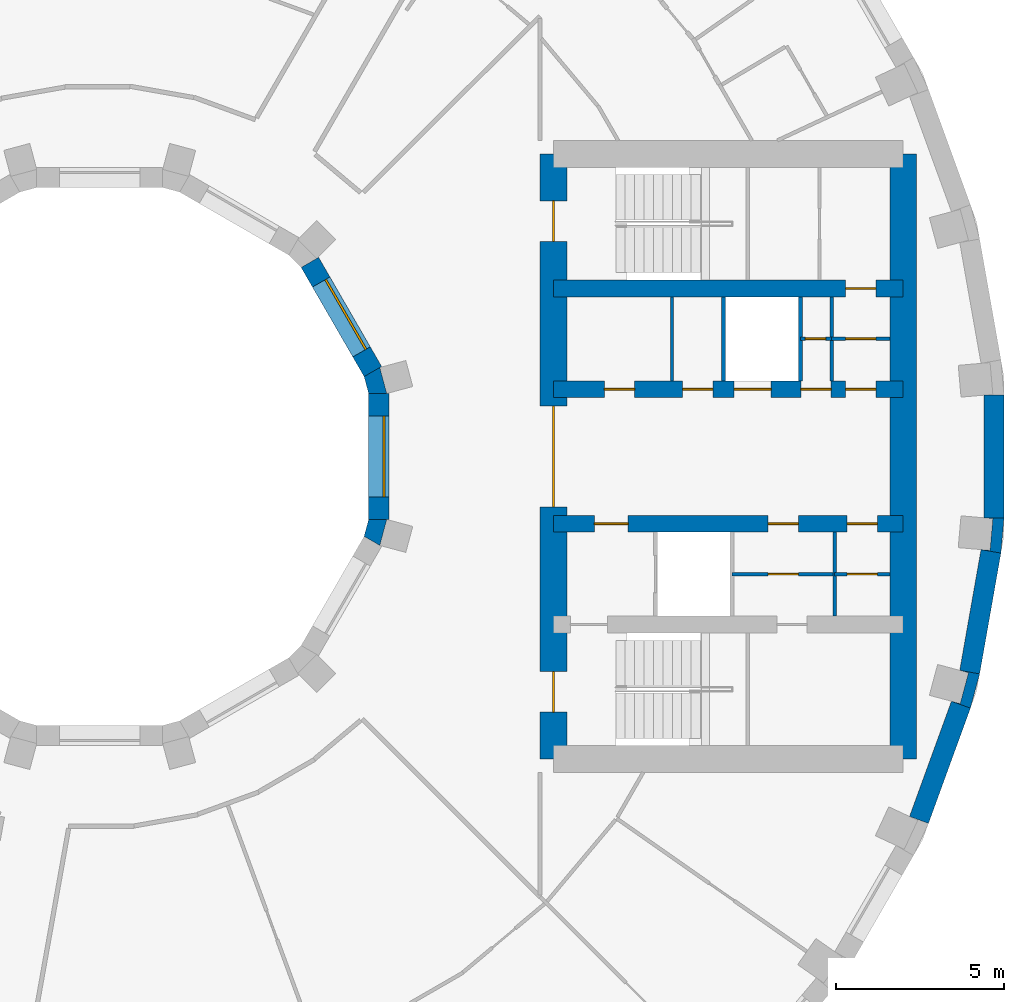
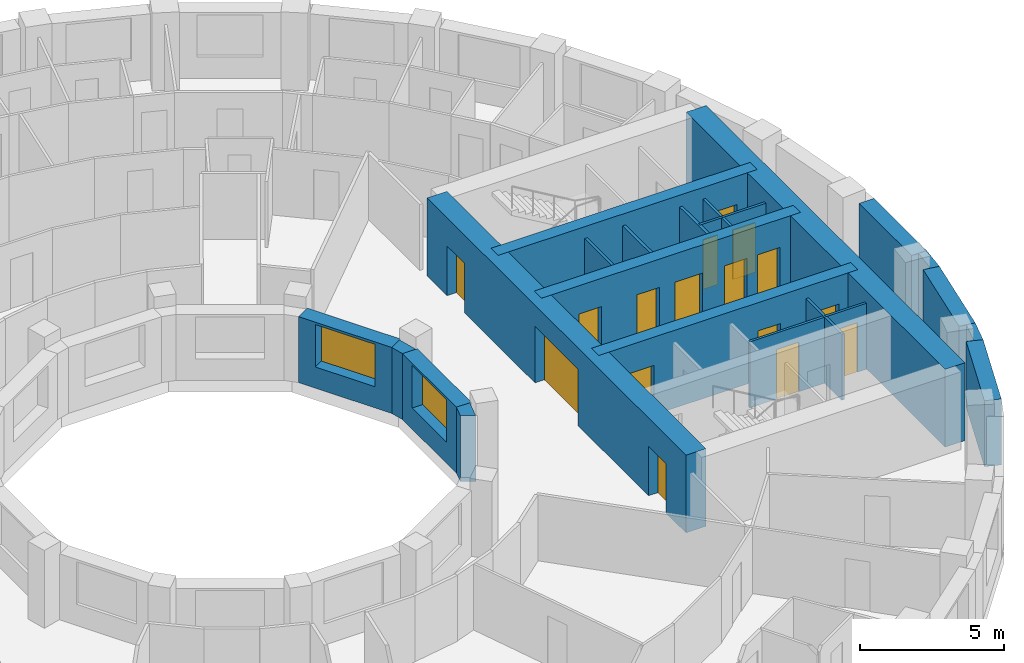
# One storey, part 9 of 14: 23 walls, 16 doors, 2 windows, 18 openings.
"""IFC4 building model written with IfcOpenShell, lengths in metres."""

from ifc_helpers import new_model, si_unit, direction, frame, frame_2d, origin, place, context, subcontext, project, spatial, polyline, rectangle, outline, extrude, material, layer, layer_set, type_object, element, fill, save


model = new_model("IFC4")

# Units and contexts
model_context = context("Model", 3, precision=1e-05, world=origin(), true_north=direction((0.0, 1.0)))
body_context = subcontext(model_context, "Body", "Model", "MODEL_VIEW")
ifc_project = project(units=[si_unit("LENGTHUNIT", "METRE"), si_unit("AREAUNIT", "SQUARE_METRE"), si_unit("VOLUMEUNIT", "CUBIC_METRE"), si_unit("PLANEANGLEUNIT", "RADIAN"), si_unit("MASSUNIT", "GRAM", prefix="KILO")], contexts=[model_context])

# Site, building, storey
site_placement = place(None, origin())
site = spatial("IfcSite", under=ifc_project, at=site_placement, CompositionType="ELEMENT")
building_placement = place(site_placement, origin())
building = spatial("IfcBuilding", under=site, at=building_placement, Name="Saqina Gate Tower", CompositionType="ELEMENT")
storey_placement = place(building_placement, frame((0.0, 0.0, 95.199951171875)))
storey = spatial("IfcBuildingStorey", under=building, at=storey_placement, Name="L26", CompositionType="ELEMENT", Elevation=95.199951171875)

# Walls
ifc_material_1 = material(Name="Brick masonry (buff)", Category="masonry")
wall_type_1 = type_object("IfcWallType", Name="BRICK PIER COPING BUFF", PredefinedType="SOLIDWALL", material=ifc_material_1)
wall_1_placement = place(storey_placement, origin())
element("IfcWall", 1, at=wall_1_placement, inside=storey, type_object=wall_type_1, Name="Pier cap L26 column 35", PredefinedType="SOLIDWALL", context=body_context, shape_type="SweptSolid", body=[
    extrude(outline(polyline([(25.89892578125, -7.485595703125), (26.171875, -6.466796875), (25.5810546875, -6.36279296875), (25.8408203125, -6.43212890625), (25.5947265625, -7.349853515625), (25.335205078125, -7.2802734375), (25.89892578125, -7.485595703125)])), origin(), (0.0, 0.0, 1.0), 2.800048828125),
])
wall_2_placement = place(storey_placement, origin())
element("IfcWall", 2, at=wall_2_placement, inside=storey, type_object=wall_type_1, Name="Pier cap L26 column 36", PredefinedType="SOLIDWALL", context=body_context, shape_type="SweptSolid", body=[
    extrude(outline(polyline([(26.805419921875, -2.87451171875), (26.897216796875, -1.823974609375), (26.29736328125, -1.823974609375), (26.565185546875, -1.847412109375), (26.482421875, -2.793701171875), (26.214599609375, -2.770263671875), (26.805419921875, -2.87451171875)])), origin(), (0.0, 0.0, 1.0), 2.800048828125),
])
ifc_material_2 = material(Name="Gypsum board on steel studs", Category="steel")
ifc_layer_1 = layer(ifc_material_2, 0.10009765625)
ifc_layer_set_1 = layer_set([ifc_layer_1], Name="CORE PARTITION")
wall_type_2 = type_object("IfcWallType", Name="CORE PARTITION", PredefinedType="PARTITIONING", material=ifc_layer_set_1)
for number, where, z_axis, x_axis, name in (
    (3, (17.022216796875, 2.25, 0.0), (0.0, 0.0, 1.0), (0.0, 1.0, 0.0), "L26-CP-E01"),
    (4, (21.77099609375, 2.25, 0.0), (0.0, 0.0, 1.0), (0.0, 1.0, 0.0), "L26-CP-E04"),
    (5, (21.8583984375, -4.75, 0.0), (0.0, 0.0, 1.0), (0.0, 1.0, 0.0), "L26-CP-E07"),
):
    element("IfcWall", number, at=place(storey_placement, frame(where, z_axis=z_axis, x_axis=x_axis)), inside=storey, type_object=wall_type_2, Name=name, PredefinedType="PARTITIONING", context=body_context, shape_type="SweptSolid", body=[
        extrude(rectangle(XDim=2.5, YDim=0.10009765625, at=frame_2d((1.25, 0.0))), origin(), (0.0, 0.0, 1.0), 2.800048828125),
    ])

# Wall, opening, door
wall_3_placement = place(storey_placement, frame((20.840087890625, 3.5, 0.0), z_axis=(0.0, 0.0, 1.0), x_axis=(1.0, 0.0, 0.0)))
wall_3 = element("IfcWall", 6, at=wall_3_placement, inside=storey, type_object=wall_type_2, Name="L26-CP-E08", PredefinedType="PARTITIONING", context=body_context, shape_type="SweptSolid", body=[
    extrude(rectangle(XDim=0.930908203125, YDim=0.10009765625, at=frame_2d((0.46533203125, 0.0))), origin(), (0.0, 0.0, 1.0), 2.800048828125),
])
opening_1_placement = place(wall_3_placement, frame((0.14990234375, 0.0, 0.0)))
opening_1 = element("IfcOpeningElement", 7, at=opening_1_placement, cuts=wall_3, Name="Opening G07-D130", PredefinedType="OPENING", context=body_context, shape_type="SweptSolid", body=[
    extrude(rectangle(XDim=0.60009765625, YDim=2.10009765625, at=frame_2d((0.300048828125, 1.050048828125))), frame((0.0, 0.06201171875, 0.0), z_axis=(0.0, -1.0, 0.0), x_axis=(1.0, 0.0, 0.0)), (0.0, 0.0, 1.0), 0.1240234375),
])
ifc_material_3 = material(Name="Steel-framed fire door leaf, EI 60", Category="steel")
door_type_1 = type_object("IfcDoorType", Name="SERVICE ROOM DOOR 600", OperationType="SINGLE_SWING_LEFT", PredefinedType="DOOR", material=ifc_material_3)
door_1_placement = place(opening_1_placement, origin())
door_1 = element("IfcDoor", 8, at=door_1_placement, inside=storey, type_object=door_type_1, Name="L26-CD-E08", OperationType="SINGLE_SWING_LEFT", OverallHeight=2.10009765625, OverallWidth=0.60009765625, PredefinedType="DOOR", context=body_context, shape_type="SweptSolid", body=[
    extrude(rectangle(XDim=0.60009765625, YDim=2.10009765625, at=frame_2d((0.300048828125, 1.050048828125))), frame((0.0, 0.02490234375, 0.0), z_axis=(0.0, -1.0, 0.0), x_axis=(1.0, 0.0, 0.0)), (0.0, 0.0, 1.0), 0.050048828125),
])
fill(opening_1, door_1)

wall_4_placement = place(storey_placement, frame((21.77099609375, 3.5, 0.0), z_axis=(0.0, 0.0, 1.0), x_axis=(1.0, 0.0, 0.0)))
wall_4 = element("IfcWall", 9, at=wall_4_placement, inside=storey, type_object=wall_type_2, Name="L26-CP-E09", PredefinedType="PARTITIONING", context=body_context, shape_type="SweptSolid", body=[
    extrude(rectangle(XDim=1.72900390625, YDim=0.10009765625, at=frame_2d((0.864501953125, 0.0))), origin(), (0.0, 0.0, 1.0), 2.800048828125),
])
opening_2_placement = place(wall_4_placement, frame((0.41455078125, 0.0, 0.0)))
opening_2 = element("IfcOpeningElement", 10, at=opening_2_placement, cuts=wall_4, Name="Opening G07-D131", PredefinedType="OPENING", context=body_context, shape_type="SweptSolid", body=[
    extrude(rectangle(XDim=0.89990234375, YDim=2.10009765625, at=frame_2d((0.449951171875, 1.050048828125))), frame((0.0, 0.06201171875, 0.0), z_axis=(0.0, -1.0, 0.0), x_axis=(1.0, 0.0, 0.0)), (0.0, 0.0, 1.0), 0.1240234375),
])
ifc_material_4 = material(Name="Steel-framed fire door leaf, EI 60", Category="steel")
door_type_2 = type_object("IfcDoorType", Name="SERVICE ROOM DOOR 900", OperationType="SINGLE_SWING_LEFT", PredefinedType="DOOR", material=ifc_material_4)
door_2_placement = place(opening_2_placement, origin())
door_2 = element("IfcDoor", 11, at=door_2_placement, inside=storey, type_object=door_type_2, Name="L26-CD-E09", OperationType="SINGLE_SWING_RIGHT", OverallHeight=2.10009765625, OverallWidth=0.89990234375, PredefinedType="DOOR", context=body_context, shape_type="SweptSolid", body=[
    extrude(rectangle(XDim=0.89990234375, YDim=2.10009765625, at=frame_2d((0.449951171875, 1.050048828125))), frame((0.0, 0.02490234375, 0.0), z_axis=(0.0, -1.0, 0.0), x_axis=(1.0, 0.0, 0.0)), (0.0, 0.0, 1.0), 0.050048828125),
])
fill(opening_2, door_2)

wall_5_placement = place(storey_placement, frame((18.81005859375, -3.5, 0.0), z_axis=(0.0, 0.0, 1.0), x_axis=(1.0, 0.0, 0.0)))
wall_5 = element("IfcWall", 12, at=wall_5_placement, inside=storey, type_object=wall_type_2, Name="L26-CP-E10", PredefinedType="PARTITIONING", context=body_context, shape_type="SweptSolid", body=[
    extrude(rectangle(XDim=3.04833984375, YDim=0.10009765625, at=frame_2d((1.524169921875, 0.0))), origin(), (0.0, 0.0, 1.0), 2.800048828125),
])
opening_3_placement = place(wall_5_placement, frame((1.07421875, 0.0, 0.0)))
opening_3 = element("IfcOpeningElement", 13, at=opening_3_placement, cuts=wall_5, Name="Opening G07-D135", PredefinedType="OPENING", context=body_context, shape_type="SweptSolid", body=[
    extrude(rectangle(XDim=0.89990234375, YDim=2.10009765625, at=frame_2d((0.449951171875, 1.050048828125))), frame((0.0, 0.06201171875, 0.0), z_axis=(0.0, -1.0, 0.0), x_axis=(1.0, 0.0, 0.0)), (0.0, 0.0, 1.0), 0.1240234375),
])
door_3_placement = place(opening_3_placement, frame((0.89990234375, 0.0, 0.0), z_axis=(0.0, 0.0, 1.0), x_axis=(-1.0, 0.0, 0.0)))
door_3 = element("IfcDoor", 14, at=door_3_placement, inside=storey, type_object=door_type_2, Name="L26-CD-E13", OperationType="SINGLE_SWING_RIGHT", OverallHeight=2.10009765625, OverallWidth=0.89990234375, PredefinedType="DOOR", context=body_context, shape_type="SweptSolid", body=[
    extrude(rectangle(XDim=0.89990234375, YDim=2.10009765625, at=frame_2d((0.449951171875, 1.050048828125))), frame((0.0, 0.02490234375, 0.0), z_axis=(0.0, -1.0, 0.0), x_axis=(1.0, 0.0, 0.0)), (0.0, 0.0, 1.0), 0.050048828125),
])
fill(opening_3, door_3)

wall_6_placement = place(storey_placement, frame((21.8583984375, -3.5, 0.0), z_axis=(0.0, 0.0, 1.0), x_axis=(1.0, 0.0, 0.0)))
wall_6 = element("IfcWall", 15, at=wall_6_placement, inside=storey, type_object=wall_type_2, Name="L26-CP-E11", PredefinedType="PARTITIONING", context=body_context, shape_type="SweptSolid", body=[
    extrude(rectangle(XDim=1.6416015625, YDim=0.10009765625, at=frame_2d((0.82080078125, 0.0))), origin(), (0.0, 0.0, 1.0), 2.800048828125),
])
opening_4_placement = place(wall_6_placement, frame((0.370849609375, 0.0, 0.0)))
opening_4 = element("IfcOpeningElement", 16, at=opening_4_placement, cuts=wall_6, Name="Opening G07-D134", PredefinedType="OPENING", context=body_context, shape_type="SweptSolid", body=[
    extrude(rectangle(XDim=0.89990234375, YDim=2.10009765625, at=frame_2d((0.449951171875, 1.050048828125))), frame((0.0, 0.06201171875, 0.0), z_axis=(0.0, -1.0, 0.0), x_axis=(1.0, 0.0, 0.0)), (0.0, 0.0, 1.0), 0.1240234375),
])
door_4_placement = place(opening_4_placement, frame((0.89990234375, 0.0, 0.0), z_axis=(0.0, 0.0, 1.0), x_axis=(-1.0, 0.0, 0.0)))
door_4 = element("IfcDoor", 17, at=door_4_placement, inside=storey, type_object=door_type_2, Name="L26-CD-E12", OperationType="SINGLE_SWING_LEFT", OverallHeight=2.10009765625, OverallWidth=0.89990234375, PredefinedType="DOOR", context=body_context, shape_type="SweptSolid", body=[
    extrude(rectangle(XDim=0.89990234375, YDim=2.10009765625, at=frame_2d((0.449951171875, 1.050048828125))), frame((0.0, 0.02490234375, 0.0), z_axis=(0.0, -1.0, 0.0), x_axis=(1.0, 0.0, 0.0)), (0.0, 0.0, 1.0), 0.050048828125),
])
fill(opening_4, door_4)

# Walls
ifc_material_5 = material(Name="Glazed ceramic tile", Category="ceramic")
ifc_layer_2 = layer(ifc_material_5, 0.60009765625)
ifc_layer_set_2 = layer_set([ifc_layer_2], Name="FW-TILE")
wall_type_3 = type_object("IfcWallType", Name="FW-TILE", PredefinedType="SOLIDWALL", material=ifc_layer_set_2)
wall_7_placement = place(storey_placement, frame((25.87646484375, -6.414794921875, 0.0), z_axis=(0.0, 0.0, 1.0), x_axis=(0.173670796382, 0.984803764455, 0.0)))
element("IfcWall", 18, at=wall_7_placement, inside=storey, type_object=wall_type_3, Name="Facade wall L26 facet 35", PredefinedType="SOLIDWALL", context=body_context, shape_type="SweptSolid", body=[
    extrude(rectangle(XDim=3.64794921875, YDim=0.60009765625, at=frame_2d((1.823974609375, 0.0))), origin(), (0.0, 0.0, 1.0), 2.800048828125),
])
ifc_material_6 = material(Name="Glazed ceramic tile (dark blue)", Category="ceramic")
ifc_layer_3 = layer(ifc_material_6, 0.60009765625)
ifc_layer_set_3 = layer_set([ifc_layer_3], Name="FW-TILE-CB")
wall_type_4 = type_object("IfcWallType", Name="FW-TILE-CB", PredefinedType="SOLIDWALL", material=ifc_layer_set_3)
wall_8_placement = place(storey_placement, frame((26.59716796875, -1.823974609375, 0.0), z_axis=(0.0, 0.0, 1.0), x_axis=(0.0, 1.0, 0.0)))
element("IfcWall", 19, at=wall_8_placement, inside=storey, type_object=wall_type_4, Name="Facade wall L26 facet 36", PredefinedType="SOLIDWALL", context=body_context, shape_type="SweptSolid", body=[
    extrude(rectangle(XDim=3.64794921875, YDim=0.60009765625, at=frame_2d((1.823974609375, 0.0))), origin(), (0.0, 0.0, 1.0), 2.800048828125),
])
ifc_material_7 = material(Name="Glazed ceramic tile (white)", Category="ceramic")
ifc_layer_4 = layer(ifc_material_7, 0.60009765625)
ifc_layer_set_4 = layer_set([ifc_layer_4], Name="FW-TILE-WH")
wall_type_5 = type_object("IfcWallType", Name="FW-TILE-WH", PredefinedType="SOLIDWALL", material=ifc_layer_set_4)
wall_9_placement = place(storey_placement, frame((24.369384765625, -10.810791015625, 0.0), z_axis=(0.0, 0.0, 1.0), x_axis=(0.341990236633, 0.939703505393, 0.0)))
element("IfcWall", 20, at=wall_9_placement, inside=storey, type_object=wall_type_5, Name="Facade wall L26 facet 34", PredefinedType="SOLIDWALL", context=body_context, shape_type="SweptSolid", body=[
    extrude(rectangle(XDim=3.64794921875, YDim=0.60009765625, at=frame_2d((1.823974609375, 0.0))), origin(), (0.0, 0.0, 1.0), 2.800048828125),
])

# Wall, opening, window
ifc_material_8 = material(Name="Glazed ceramic tile", Category="ceramic")
ifc_layer_5 = layer(ifc_material_8, 0.60009765625)
ifc_layer_set_5 = layer_set([ifc_layer_5], Name="IW-TILE")
wall_type_6 = type_object("IfcWallType", Name="IW-TILE", PredefinedType="SOLIDWALL", material=ifc_layer_set_5)
wall_10_placement = place(storey_placement, frame((8.124755859375, 2.52734375, 0.0), z_axis=(0.0, 0.0, 1.0), x_axis=(-0.499964958637, 0.86604563398, 0.0)))
wall_10 = element("IfcWall", 21, at=wall_10_placement, inside=storey, type_object=wall_type_6, Name="Well wall L26 facet 1", PredefinedType="SOLIDWALL", context=body_context, shape_type="SweptSolid", body=[
    extrude(rectangle(XDim=3.747314453125, YDim=0.60009765625, at=frame_2d((1.87353515625, 0.0))), origin(), (0.0, 0.0, 1.0), 2.800048828125),
])
opening_5_placement = place(wall_10_placement, frame((0.673583984375, 0.0, 0.89990234375)))
opening_5 = element("IfcOpeningElement", 22, at=opening_5_placement, cuts=wall_10, Name="Opening G07-W23", PredefinedType="OPENING", context=body_context, shape_type="SweptSolid", body=[
    extrude(rectangle(XDim=2.39990234375, YDim=1.800048828125, at=frame_2d((1.199951171875, 0.89990234375))), frame((0.0, 0.31201171875, 0.0), z_axis=(0.0, -1.0, 0.0), x_axis=(1.0, 0.0, 0.0)), (0.0, 0.0, 1.0), 0.6240234375),
])
ifc_material_9 = material(Name="Aluminium glazing", Category="aluminium")
window_type = type_object("IfcWindowType", Name="WN-W", PartitioningType="SINGLE_PANEL", PredefinedType="WINDOW", material=ifc_material_9)
window_1_placement = place(opening_5_placement, origin())
window_1 = element("IfcWindow", 23, at=window_1_placement, inside=storey, type_object=window_type, Name="Well window L26 facet 1", OverallHeight=1.800048828125, OverallWidth=2.39990234375, PartitioningType="SINGLE_PANEL", PredefinedType="WINDOW", context=body_context, shape_type="SweptSolid", body=[
    extrude(rectangle(XDim=2.39990234375, YDim=1.800048828125, at=frame_2d((1.199951171875, 0.89990234375))), frame((0.0, -0.119873046875, 0.0), z_axis=(0.0, -1.0, 0.0), x_axis=(1.0, 0.0, 0.0)), (0.0, 0.0, 1.0), 0.06005859375),
])
fill(opening_5, window_1)

wall_11_placement = place(storey_placement, frame((8.300048828125, -1.873779296875, 0.0), z_axis=(0.0, 0.0, 1.0), x_axis=(0.0, 1.0, 0.0)))
wall_11 = element("IfcWall", 24, at=wall_11_placement, inside=storey, type_object=wall_type_6, Name="Well wall L26 facet 12", PredefinedType="SOLIDWALL", context=body_context, shape_type="SweptSolid", body=[
    extrude(rectangle(XDim=3.74755859375, YDim=0.60009765625, at=frame_2d((1.873779296875, 0.0))), origin(), (0.0, 0.0, 1.0), 2.800048828125),
])
opening_6_placement = place(wall_11_placement, frame((0.673583984375, 0.0, 0.89990234375)))
opening_6 = element("IfcOpeningElement", 25, at=opening_6_placement, cuts=wall_11, Name="Opening G07-W34", PredefinedType="OPENING", context=body_context, shape_type="SweptSolid", body=[
    extrude(rectangle(XDim=2.39990234375, YDim=1.800048828125, at=frame_2d((1.199951171875, 0.89990234375))), frame((0.0, 0.31201171875, 0.0), z_axis=(0.0, -1.0, 0.0), x_axis=(1.0, 0.0, 0.0)), (0.0, 0.0, 1.0), 0.6240234375),
])
window_2_placement = place(opening_6_placement, origin())
window_2 = element("IfcWindow", 26, at=window_2_placement, inside=storey, type_object=window_type, Name="Well window L26 facet 12", OverallHeight=1.800048828125, OverallWidth=2.39990234375, PartitioningType="SINGLE_PANEL", PredefinedType="WINDOW", context=body_context, shape_type="SweptSolid", body=[
    extrude(rectangle(XDim=2.39990234375, YDim=1.800048828125, at=frame_2d((1.199951171875, 0.89990234375))), frame((0.0, -0.119873046875, 0.0), z_axis=(0.0, -1.0, 0.0), x_axis=(1.0, 0.0, 0.0)), (0.0, 0.0, 1.0), 0.06005859375),
])
fill(opening_6, window_2)

# Walls
ifc_material_10 = material(Name="Autoclaved aerated concrete block", Category="concrete")
ifc_layer_6 = layer(ifc_material_10, 0.1201171875)
ifc_layer_set_6 = layer_set([ifc_layer_6], Name="SHAFT PARTITION")
wall_type_7 = type_object("IfcWallType", Name="SHAFT PARTITION", PredefinedType="PARTITIONING", material=ifc_layer_set_6)
for number, where, z_axis, x_axis, name in (
    (27, (18.56005859375, 2.25, 0.0), (0.0, 0.0, 1.0), (0.0, 1.0, 0.0), "L26-CP-E02"),
    (28, (20.840087890625, 2.25, 0.0), (0.0, 0.0, 1.0), (0.0, 1.0, 0.0), "L26-CP-E03"),
):
    element("IfcWall", number, at=place(storey_placement, frame(where, z_axis=z_axis, x_axis=x_axis)), inside=storey, type_object=wall_type_7, Name=name, PredefinedType="PARTITIONING", context=body_context, shape_type="SweptSolid", body=[
        extrude(rectangle(XDim=2.5, YDim=0.1201171875, at=frame_2d((1.25, 0.0))), origin(), (0.0, 0.0, 1.0), 2.800048828125),
    ])

# Wall, opening, door
ifc_material_11 = material(Name="Concrete C70/85", Category="concrete")
ifc_layer_7 = layer(ifc_material_11, 0.5)
ifc_layer_set_7 = layer_set([ifc_layer_7], Name="Concrete C70/85")
wall_type_8 = type_object("IfcWallType", Name="STR-CORE WALL-B-I", PredefinedType="SHEAR", material=ifc_layer_set_7)
wall_12_placement = place(storey_placement, frame((13.5, 5.0, 0.0), z_axis=(0.0, 0.0, 1.0), x_axis=(1.0, 0.0, 0.0)))
wall_12 = element("IfcWall", 29, at=wall_12_placement, inside=storey, type_object=wall_type_8, Name="CORE WALL L26 E-X1", PredefinedType="SHEAR", context=body_context, shape_type="SweptSolid", body=[
    extrude(rectangle(XDim=10.39990234375, YDim=0.5, at=frame_2d((5.199951171875, 0.0))), origin(), (0.0, 0.0, 1.0), 3.300048828125),
])
opening_7_placement = place(wall_12_placement, frame((8.685546875, 0.0, 0.0)))
opening_7 = element("IfcOpeningElement", 30, at=opening_7_placement, cuts=wall_12, Name="Opening G07-D133", PredefinedType="OPENING", context=body_context, shape_type="SweptSolid", body=[
    extrude(rectangle(XDim=0.89990234375, YDim=2.10009765625, at=frame_2d((0.449951171875, 1.050048828125))), frame((0.0, 0.261962890625, 0.0), z_axis=(0.0, -1.0, 0.0), x_axis=(1.0, 0.0, 0.0)), (0.0, 0.0, 1.0), 0.52392578125),
])
door_5_placement = place(opening_7_placement, origin())
door_5 = element("IfcDoor", 31, at=door_5_placement, inside=storey, type_object=door_type_2, Name="L26-CD-E11", OperationType="SINGLE_SWING_RIGHT", OverallHeight=2.10009765625, OverallWidth=0.89990234375, PredefinedType="DOOR", context=body_context, shape_type="SweptSolid", body=[
    extrude(rectangle(XDim=0.89990234375, YDim=2.10009765625, at=frame_2d((0.449951171875, 1.050048828125))), frame((0.0, 0.02490234375, 0.0), z_axis=(0.0, -1.0, 0.0), x_axis=(1.0, 0.0, 0.0)), (0.0, 0.0, 1.0), 0.050048828125),
])
fill(opening_7, door_5)

# Wall, openings, doors
wall_13_placement = place(storey_placement, frame((13.5, 2.0, 0.0), z_axis=(0.0, 0.0, 1.0), x_axis=(1.0, 0.0, 0.0)))
wall_13 = element("IfcWall", 32, at=wall_13_placement, inside=storey, type_object=wall_type_8, Name="CORE WALL L26 E-L1", PredefinedType="SHEAR", context=body_context, shape_type="SweptSolid", body=[
    extrude(rectangle(XDim=10.39990234375, YDim=0.5, at=frame_2d((5.199951171875, 0.0))), origin(), (0.0, 0.0, 1.0), 3.300048828125),
])
opening_8_placement = place(wall_13_placement, frame((5.3701171875, 0.0, 0.0)))
opening_8 = element("IfcOpeningElement", 33, at=opening_8_placement, cuts=wall_13, Name="Opening G07-LD1", PredefinedType="OPENING", context=body_context, shape_type="SweptSolid", body=[
    extrude(rectangle(XDim=1.10009765625, YDim=2.10009765625, at=frame_2d((0.550048828125, 1.050048828125))), frame((0.0, 0.261962890625, 0.0), z_axis=(0.0, -1.0, 0.0), x_axis=(1.0, 0.0, 0.0)), (0.0, 0.0, 1.0), 0.52392578125),
])
opening_9_placement = place(wall_13_placement, frame((1.510986328125, 0.0, 0.0)))
opening_9 = element("IfcOpeningElement", 34, at=opening_9_placement, cuts=wall_13, Name="Opening G07-D90", PredefinedType="OPENING", context=body_context, shape_type="SweptSolid", body=[
    extrude(rectangle(XDim=0.89990234375, YDim=2.10009765625, at=frame_2d((0.449951171875, 1.050048828125))), frame((0.0, 0.261962890625, 0.0), z_axis=(0.0, -1.0, 0.0), x_axis=(1.0, 0.0, 0.0)), (0.0, 0.0, 1.0), 0.52392578125),
])
opening_10_placement = place(wall_13_placement, frame((3.841064453125, 0.0, 0.0)))
opening_10 = element("IfcOpeningElement", 35, at=opening_10_placement, cuts=wall_13, Name="Opening G07-D91", PredefinedType="OPENING", context=body_context, shape_type="SweptSolid", body=[
    extrude(rectangle(XDim=0.89990234375, YDim=2.10009765625, at=frame_2d((0.449951171875, 1.050048828125))), frame((0.0, 0.261962890625, 0.0), z_axis=(0.0, -1.0, 0.0), x_axis=(1.0, 0.0, 0.0)), (0.0, 0.0, 1.0), 0.52392578125),
])
opening_11_placement = place(wall_13_placement, frame((7.35546875, 0.0, 0.0)))
opening_11 = element("IfcOpeningElement", 36, at=opening_11_placement, cuts=wall_13, Name="Opening G07-D126", PredefinedType="OPENING", context=body_context, shape_type="SweptSolid", body=[
    extrude(rectangle(XDim=0.89990234375, YDim=2.10009765625, at=frame_2d((0.449951171875, 1.050048828125))), frame((0.0, 0.261962890625, 0.0), z_axis=(0.0, -1.0, 0.0), x_axis=(1.0, 0.0, 0.0)), (0.0, 0.0, 1.0), 0.52392578125),
])
opening_12_placement = place(wall_13_placement, frame((8.685546875, 0.0, 0.0)))
opening_12 = element("IfcOpeningElement", 37, at=opening_12_placement, cuts=wall_13, Name="Opening G07-D127", PredefinedType="OPENING", context=body_context, shape_type="SweptSolid", body=[
    extrude(rectangle(XDim=0.89990234375, YDim=2.10009765625, at=frame_2d((0.449951171875, 1.050048828125))), frame((0.0, 0.261962890625, 0.0), z_axis=(0.0, -1.0, 0.0), x_axis=(1.0, 0.0, 0.0)), (0.0, 0.0, 1.0), 0.52392578125),
])
ifc_material_12 = material(Name="Stainless steel", Category="steel")
door_type_3 = type_object("IfcDoorType", Name="LANDING DOOR", OperationType="DOUBLE_DOOR_SLIDING", PredefinedType="DOOR", material=ifc_material_12)
door_6_placement = place(opening_8_placement, origin())
door_6 = element("IfcDoor", 38, at=door_6_placement, inside=storey, type_object=door_type_3, Name="LANDING DOOR MR1", OperationType="DOUBLE_DOOR_SLIDING", OverallHeight=2.10009765625, OverallWidth=1.10009765625, PredefinedType="DOOR", context=body_context, shape_type="SweptSolid", body=[
    extrude(rectangle(XDim=1.10009765625, YDim=2.10009765625, at=frame_2d((0.550048828125, 1.050048828125))), frame((0.0, 0.02490234375, 0.0), z_axis=(0.0, -1.0, 0.0), x_axis=(1.0, 0.0, 0.0)), (0.0, 0.0, 1.0), 0.050048828125),
])
fill(opening_8, door_6)
door_7_placement = place(opening_9_placement, origin())
door_7 = element("IfcDoor", 39, at=door_7_placement, inside=storey, type_object=door_type_2, Name="L26-CD-E01", OperationType="SINGLE_SWING_LEFT", OverallHeight=2.10009765625, OverallWidth=0.89990234375, PredefinedType="DOOR", context=body_context, shape_type="SweptSolid", body=[
    extrude(rectangle(XDim=0.89990234375, YDim=2.10009765625, at=frame_2d((0.449951171875, 1.050048828125))), frame((0.0, 0.02490234375, 0.0), z_axis=(0.0, -1.0, 0.0), x_axis=(1.0, 0.0, 0.0)), (0.0, 0.0, 1.0), 0.050048828125),
])
fill(opening_9, door_7)
door_8_placement = place(opening_10_placement, origin())
door_8 = element("IfcDoor", 40, at=door_8_placement, inside=storey, type_object=door_type_2, Name="L26-CD-E02", OperationType="SINGLE_SWING_RIGHT", OverallHeight=2.10009765625, OverallWidth=0.89990234375, PredefinedType="DOOR", context=body_context, shape_type="SweptSolid", body=[
    extrude(rectangle(XDim=0.89990234375, YDim=2.10009765625, at=frame_2d((0.449951171875, 1.050048828125))), frame((0.0, 0.02490234375, 0.0), z_axis=(0.0, -1.0, 0.0), x_axis=(1.0, 0.0, 0.0)), (0.0, 0.0, 1.0), 0.050048828125),
])
fill(opening_10, door_8)
door_9_placement = place(opening_11_placement, origin())
door_9 = element("IfcDoor", 41, at=door_9_placement, inside=storey, type_object=door_type_2, Name="L26-CD-E03", OperationType="SINGLE_SWING_LEFT", OverallHeight=2.10009765625, OverallWidth=0.89990234375, PredefinedType="DOOR", context=body_context, shape_type="SweptSolid", body=[
    extrude(rectangle(XDim=0.89990234375, YDim=2.10009765625, at=frame_2d((0.449951171875, 1.050048828125))), frame((0.0, 0.02490234375, 0.0), z_axis=(0.0, -1.0, 0.0), x_axis=(1.0, 0.0, 0.0)), (0.0, 0.0, 1.0), 0.050048828125),
])
fill(opening_11, door_9)
door_10_placement = place(opening_12_placement, origin())
door_10 = element("IfcDoor", 42, at=door_10_placement, inside=storey, type_object=door_type_2, Name="L26-CD-E04", OperationType="SINGLE_SWING_RIGHT", OverallHeight=2.10009765625, OverallWidth=0.89990234375, PredefinedType="DOOR", context=body_context, shape_type="SweptSolid", body=[
    extrude(rectangle(XDim=0.89990234375, YDim=2.10009765625, at=frame_2d((0.449951171875, 1.050048828125))), frame((0.0, 0.02490234375, 0.0), z_axis=(0.0, -1.0, 0.0), x_axis=(1.0, 0.0, 0.0)), (0.0, 0.0, 1.0), 0.050048828125),
])
fill(opening_12, door_10)

wall_14_placement = place(storey_placement, frame((13.5, -2.0, 0.0), z_axis=(0.0, 0.0, 1.0), x_axis=(1.0, 0.0, 0.0)))
wall_14 = element("IfcWall", 43, at=wall_14_placement, inside=storey, type_object=wall_type_8, Name="CORE WALL L26 E-L2", PredefinedType="SHEAR", context=body_context, shape_type="SweptSolid", body=[
    extrude(rectangle(XDim=10.39990234375, YDim=0.5, at=frame_2d((5.199951171875, 0.0))), origin(), (0.0, 0.0, 1.0), 3.300048828125),
])
opening_13_placement = place(wall_14_placement, frame((1.215087890625, 0.0, 0.0)))
opening_13 = element("IfcOpeningElement", 44, at=opening_13_placement, cuts=wall_14, Name="Opening G07-D94", PredefinedType="OPENING", context=body_context, shape_type="SweptSolid", body=[
    extrude(rectangle(XDim=1.0, YDim=2.10009765625, at=frame_2d((0.5, 1.050048828125))), frame((0.0, 0.261962890625, 0.0), z_axis=(0.0, -1.0, 0.0), x_axis=(1.0, 0.0, 0.0)), (0.0, 0.0, 1.0), 0.52392578125),
])
opening_14_placement = place(wall_14_placement, frame((6.38427734375, 0.0, 0.0)))
opening_14 = element("IfcOpeningElement", 45, at=opening_14_placement, cuts=wall_14, Name="Opening G07-D128", PredefinedType="OPENING", context=body_context, shape_type="SweptSolid", body=[
    extrude(rectangle(XDim=0.89990234375, YDim=2.10009765625, at=frame_2d((0.449951171875, 1.050048828125))), frame((0.0, 0.261962890625, 0.0), z_axis=(0.0, -1.0, 0.0), x_axis=(1.0, 0.0, 0.0)), (0.0, 0.0, 1.0), 0.52392578125),
])
opening_15_placement = place(wall_14_placement, frame((8.729248046875, 0.0, 0.0)))
opening_15 = element("IfcOpeningElement", 46, at=opening_15_placement, cuts=wall_14, Name="Opening G07-D129", PredefinedType="OPENING", context=body_context, shape_type="SweptSolid", body=[
    extrude(rectangle(XDim=0.89990234375, YDim=2.10009765625, at=frame_2d((0.449951171875, 1.050048828125))), frame((0.0, 0.261962890625, 0.0), z_axis=(0.0, -1.0, 0.0), x_axis=(1.0, 0.0, 0.0)), (0.0, 0.0, 1.0), 0.52392578125),
])
ifc_material_13 = material(Name="Steel", Category="steel")
door_type_4 = type_object("IfcDoorType", Name="FIRE LOBBY DOOR EI 60", OperationType="SINGLE_SWING_LEFT", PredefinedType="DOOR", material=ifc_material_13)
door_11_placement = place(opening_13_placement, origin())
door_11 = element("IfcDoor", 47, at=door_11_placement, inside=storey, type_object=door_type_4, Name="L26-CD-E05", OperationType="SINGLE_SWING_LEFT", OverallHeight=2.10009765625, OverallWidth=1.0, PredefinedType="DOOR", context=body_context, shape_type="SweptSolid", body=[
    extrude(rectangle(XDim=1.0, YDim=2.10009765625, at=frame_2d((0.5, 1.050048828125))), frame((0.0, 0.02490234375, 0.0), z_axis=(0.0, -1.0, 0.0), x_axis=(1.0, 0.0, 0.0)), (0.0, 0.0, 1.0), 0.050048828125),
])
fill(opening_13, door_11)
door_12_placement = place(opening_14_placement, frame((0.89990234375, 0.0, 0.0), z_axis=(0.0, 0.0, 1.0), x_axis=(-1.0, 0.0, 0.0)))
door_12 = element("IfcDoor", 48, at=door_12_placement, inside=storey, type_object=door_type_2, Name="L26-CD-E06", OperationType="SINGLE_SWING_LEFT", OverallHeight=2.10009765625, OverallWidth=0.89990234375, PredefinedType="DOOR", context=body_context, shape_type="SweptSolid", body=[
    extrude(rectangle(XDim=0.89990234375, YDim=2.10009765625, at=frame_2d((0.449951171875, 1.050048828125))), frame((0.0, 0.02490234375, 0.0), z_axis=(0.0, -1.0, 0.0), x_axis=(1.0, 0.0, 0.0)), (0.0, 0.0, 1.0), 0.050048828125),
])
fill(opening_14, door_12)
door_13_placement = place(opening_15_placement, frame((0.89990234375, 0.0, 0.0), z_axis=(0.0, 0.0, 1.0), x_axis=(-1.0, 0.0, 0.0)))
door_13 = element("IfcDoor", 49, at=door_13_placement, inside=storey, type_object=door_type_2, Name="L26-CD-E07", OperationType="SINGLE_SWING_LEFT", OverallHeight=2.10009765625, OverallWidth=0.89990234375, PredefinedType="DOOR", context=body_context, shape_type="SweptSolid", body=[
    extrude(rectangle(XDim=0.89990234375, YDim=2.10009765625, at=frame_2d((0.449951171875, 1.050048828125))), frame((0.0, 0.02490234375, 0.0), z_axis=(0.0, -1.0, 0.0), x_axis=(1.0, 0.0, 0.0)), (0.0, 0.0, 1.0), 0.050048828125),
])
fill(opening_15, door_13)

ifc_material_14 = material(Name="Concrete C70/85", Category="concrete")
ifc_layer_8 = layer(ifc_material_14, 0.800048828125)
ifc_layer_set_8 = layer_set([ifc_layer_8], Name="Concrete C70/85")
wall_type_9 = type_object("IfcWallType", Name="STR-CORE WALL-B-O", PredefinedType="SHEAR", material=ifc_layer_set_8)
wall_15_placement = place(storey_placement, frame((13.5, -9.0, 0.0), z_axis=(0.0, 0.0, 1.0), x_axis=(0.0, 1.0, 0.0)))
wall_15 = element("IfcWall", 50, at=wall_15_placement, inside=storey, type_object=wall_type_9, Name="CORE WALL L26 E-W1", PredefinedType="SHEAR", context=body_context, shape_type="SweptSolid", body=[
    extrude(rectangle(XDim=18.0, YDim=0.800048828125, at=frame_2d((9.0, 0.0))), origin(), (0.0, 0.0, 1.0), 3.300048828125),
])
opening_16_placement = place(wall_15_placement, frame((15.39990234375, 0.0, 0.0)))
opening_16 = element("IfcOpeningElement", 51, at=opening_16_placement, cuts=wall_15, Name="Opening G07-D102", PredefinedType="OPENING", context=body_context, shape_type="SweptSolid", body=[
    extrude(rectangle(XDim=1.199951171875, YDim=2.10009765625, at=frame_2d((0.60009765625, 1.050048828125))), frame((0.0, 0.412109375, 0.0), z_axis=(0.0, -1.0, 0.0), x_axis=(1.0, 0.0, 0.0)), (0.0, 0.0, 1.0), 0.823974609375),
])
opening_17_placement = place(wall_15_placement, frame((1.39990234375, 0.0, 0.0)))
opening_17 = element("IfcOpeningElement", 52, at=opening_17_placement, cuts=wall_15, Name="Opening G07-D103", PredefinedType="OPENING", context=body_context, shape_type="SweptSolid", body=[
    extrude(rectangle(XDim=1.199951171875, YDim=2.10009765625, at=frame_2d((0.60009765625, 1.050048828125))), frame((0.0, 0.412109375, 0.0), z_axis=(0.0, -1.0, 0.0), x_axis=(1.0, 0.0, 0.0)), (0.0, 0.0, 1.0), 0.823974609375),
])
opening_18_placement = place(wall_15_placement, frame((7.5, 0.0, 0.0)))
opening_18 = element("IfcOpeningElement", 53, at=opening_18_placement, cuts=wall_15, Name="Opening G07-D104", PredefinedType="OPENING", context=body_context, shape_type="SweptSolid", body=[
    extrude(rectangle(XDim=3.0, YDim=2.39990234375, at=frame_2d((1.5, 1.199951171875))), frame((0.0, 0.412109375, 0.0), z_axis=(0.0, -1.0, 0.0), x_axis=(1.0, 0.0, 0.0)), (0.0, 0.0, 1.0), 0.823974609375),
])
ifc_material_15 = material(Name="Steel", Category="steel")
door_type_5 = type_object("IfcDoorType", Name="FIRE DOOR EI 60", OperationType="SINGLE_SWING_LEFT", PredefinedType="DOOR", material=ifc_material_15)
door_14_placement = place(opening_16_placement, frame((1.199951171875, 0.0, 0.0), z_axis=(0.0, 0.0, 1.0), x_axis=(-1.0, 0.0, 0.0)))
door_14 = element("IfcDoor", 54, at=door_14_placement, inside=storey, type_object=door_type_5, Name="L26-CD-E16", OperationType="SINGLE_SWING_LEFT", OverallHeight=2.10009765625, OverallWidth=1.199951171875, PredefinedType="DOOR", context=body_context, shape_type="SweptSolid", body=[
    extrude(rectangle(XDim=1.199951171875, YDim=2.10009765625, at=frame_2d((0.60009765625, 1.050048828125))), frame((0.0, 0.02490234375, 0.0), z_axis=(0.0, -1.0, 0.0), x_axis=(1.0, 0.0, 0.0)), (0.0, 0.0, 1.0), 0.050048828125),
])
fill(opening_16, door_14)
door_15_placement = place(opening_17_placement, frame((1.199951171875, 0.0, 0.0), z_axis=(0.0, 0.0, 1.0), x_axis=(-1.0, 0.0, 0.0)))
door_15 = element("IfcDoor", 55, at=door_15_placement, inside=storey, type_object=door_type_5, Name="L26-CD-E17", OperationType="SINGLE_SWING_RIGHT", OverallHeight=2.10009765625, OverallWidth=1.199951171875, PredefinedType="DOOR", context=body_context, shape_type="SweptSolid", body=[
    extrude(rectangle(XDim=1.199951171875, YDim=2.10009765625, at=frame_2d((0.60009765625, 1.050048828125))), frame((0.0, 0.02490234375, 0.0), z_axis=(0.0, -1.0, 0.0), x_axis=(1.0, 0.0, 0.0)), (0.0, 0.0, 1.0), 0.050048828125),
])
fill(opening_17, door_15)
ifc_material_16 = material(Name="Steel and fire-resisting glass", Category="steel")
door_type_6 = type_object("IfcDoorType", Name="LOBBY SCREEN DOOR", OperationType="DOUBLE_DOOR_SLIDING", PredefinedType="DOOR", material=ifc_material_16)
door_16_placement = place(opening_18_placement, origin())
door_16 = element("IfcDoor", 56, at=door_16_placement, inside=storey, type_object=door_type_6, Name="L26-CD-E18", OperationType="DOUBLE_DOOR_SLIDING", OverallHeight=2.39990234375, OverallWidth=3.0, PredefinedType="DOOR", context=body_context, shape_type="SweptSolid", body=[
    extrude(rectangle(XDim=3.0, YDim=2.39990234375, at=frame_2d((1.5, 1.199951171875))), frame((0.0, 0.02490234375, 0.0), z_axis=(0.0, -1.0, 0.0), x_axis=(1.0, 0.0, 0.0)), (0.0, 0.0, 1.0), 0.050048828125),
])
fill(opening_18, door_16)

# Walls
wall_16_placement = place(storey_placement, frame((23.89990234375, -9.0, 0.0), z_axis=(0.0, 0.0, 1.0), x_axis=(0.0, 1.0, 0.0)))
element("IfcWall", 57, at=wall_16_placement, inside=storey, type_object=wall_type_9, Name="CORE WALL L26 E-W2", PredefinedType="SHEAR", context=body_context, shape_type="SweptSolid", body=[
    extrude(rectangle(XDim=18.0, YDim=0.800048828125, at=frame_2d((9.0, 0.0))), origin(), (0.0, 0.0, 1.0), 3.300048828125),
])
ifc_material_17 = material(Name="Glazed ceramic tile", Category="ceramic")
wall_type_10 = type_object("IfcWallType", Name="TILE PIER COPING", PredefinedType="SOLIDWALL", material=ifc_material_17)
wall_17_placement = place(storey_placement, origin())
element("IfcWall", 58, at=wall_17_placement, inside=storey, type_object=wall_type_10, Name="Well pier cap L26 column 1", PredefinedType="SOLIDWALL", context=body_context, shape_type="SweptSolid", body=[
    extrude(outline(polyline([(8.3310546875, 2.646484375), (7.864990234375, 2.377197265625), (8.0, 1.873779296875), (8.5380859375, 1.873779296875), (8.3310546875, 2.646484375)])), origin(), (0.0, 0.0, 1.0), 2.800048828125),
])
wall_18_placement = place(storey_placement, origin())
element("IfcWall", 59, at=wall_18_placement, inside=storey, type_object=wall_type_10, Name="Well pier cap L26 column 12", PredefinedType="SOLIDWALL", context=body_context, shape_type="SweptSolid", body=[
    extrude(outline(polyline([(8.5380859375, -1.873779296875), (8.0, -1.873779296875), (7.864990234375, -2.377197265625), (8.3310546875, -2.646484375), (8.5380859375, -1.873779296875)])), origin(), (0.0, 0.0, 1.0), 2.800048828125),
])

save(model, "model.ifc")
